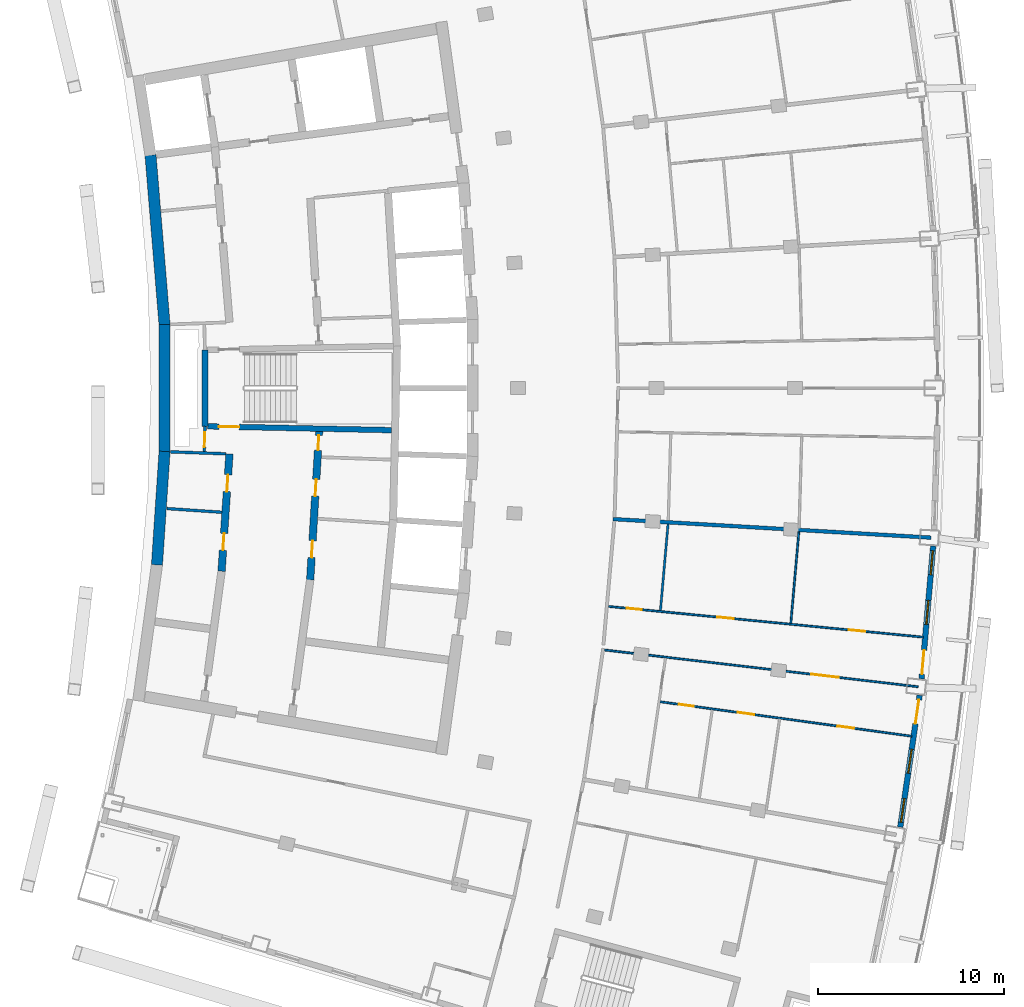
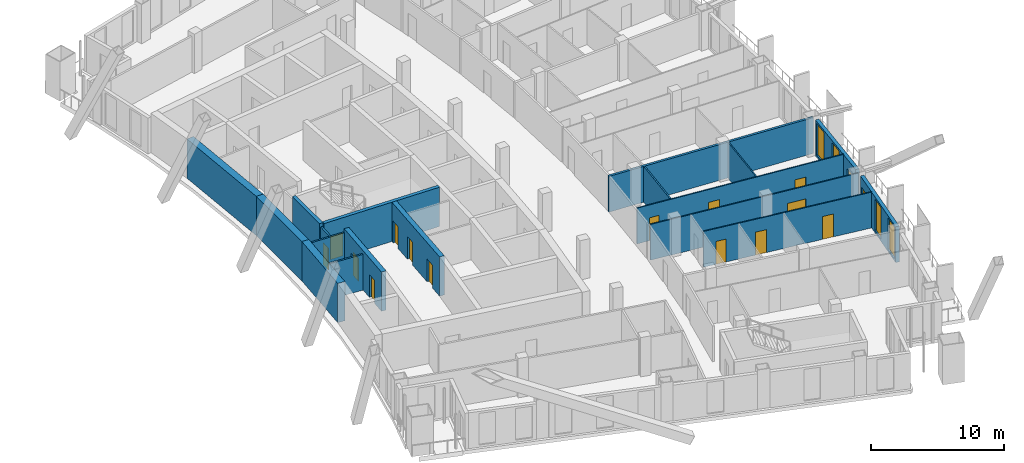
# One storey, part 11 of 19: 18 walls, 16 doors, 4 windows, 20 openings.
"""IFC4 building model written with IfcOpenShell, lengths in metres."""

from ifc_helpers import new_model, si_unit, direction, frame, frame_2d, origin, place, context, subcontext, project, spatial, rectangle, extrude, material, layer, layer_set, type_object, element, fill, save


model = new_model("IFC4")

# Units and contexts
model_context = context("Model", 3, precision=1e-05, world=origin(), true_north=direction((0.0, 1.0)))
body_context = subcontext(model_context, "Body", "Model", "MODEL_VIEW")
ifc_project = project(units=[si_unit("LENGTHUNIT", "METRE"), si_unit("AREAUNIT", "SQUARE_METRE"), si_unit("VOLUMEUNIT", "CUBIC_METRE"), si_unit("PLANEANGLEUNIT", "RADIAN"), si_unit("MASSUNIT", "GRAM", prefix="KILO")], contexts=[model_context])

# Site, building, storey
site_placement = place(None, origin())
site = spatial("IfcSite", under=ifc_project, at=site_placement, CompositionType="ELEMENT")
building_placement = place(site_placement, origin())
building = spatial("IfcBuilding", under=site, at=building_placement, Name="Alderwake Tower", CompositionType="ELEMENT")
storey_placement = place(building_placement, frame((0.0, 0.0, 200.0)))
storey = spatial("IfcBuildingStorey", under=building, at=storey_placement, Name="L49", CompositionType="ELEMENT", Elevation=200.0)

# Wall, opening, door
ifc_material_1 = material(Name="Gypsum shaft wall system, rated")
ifc_layer_1 = layer(ifc_material_1, 0.14990234375)
ifc_layer_set_1 = layer_set([ifc_layer_1], Name="Core room partition 150")
wall_type_1 = type_object("IfcWallType", Name="Core room partition 150", PredefinedType="PARTITIONING", material=ifc_layer_set_1)
wall_1_placement = place(storey_placement, frame((18.918701171875, 58.94384765625, 0.0), z_axis=(0.0, 0.0, 1.0), x_axis=(-0.027811602725, -0.999613182563, 0.0)))
wall_1 = element("IfcWall", 1, at=wall_1_placement, inside=storey, type_object=wall_type_1, Name="CW/L49/PA+24_-37", PredefinedType="PARTITIONING", context=body_context, shape_type="SweptSolid", body=[
    extrude(rectangle(XDim=1.369384765625, YDim=0.14990234375, at=frame_2d((0.6845703125, 0.0))), origin(), (0.0, 0.0, 1.0), 3.280029296875),
])
opening_1_placement = place(wall_1_placement, frame((0.322998046875, 0.0, 0.0)))
opening_1 = element("IfcOpeningElement", 2, at=opening_1_placement, cuts=wall_1, Name="Opening C004", PredefinedType="OPENING", context=body_context, shape_type="SweptSolid", body=[
    extrude(rectangle(XDim=0.800048828125, YDim=2.0, at=frame_2d((0.39990234375, 1.0))), frame((0.0, 0.0849609375, 0.0), z_axis=(0.0, -1.0, 0.0), x_axis=(1.0, 0.0, 0.0)), (0.0, 0.0, 1.0), 0.169921875),
])
ifc_material_2 = material(Name="Painted steel leaf, rated", Category="steel")
door_type_1 = type_object("IfcDoorType", Name="Riser access door 800", OperationType="SINGLE_SWING_LEFT", PredefinedType="DOOR", material=ifc_material_2)
door_1_placement = place(opening_1_placement, origin())
door_1 = element("IfcDoor", 3, at=door_1_placement, inside=storey, type_object=door_type_1, Name="Riser access door", OperationType="SINGLE_SWING_RIGHT", OverallHeight=2.0, OverallWidth=0.800048828125, PredefinedType="DOOR", context=body_context, shape_type="SweptSolid", body=[
    extrude(rectangle(XDim=0.800048828125, YDim=2.0, at=frame_2d((0.39990234375, 1.0))), frame((0.0, 0.02490234375, 0.0), z_axis=(0.0, -1.0, 0.0), x_axis=(1.0, 0.0, 0.0)), (0.0, 0.0, 1.0), 0.050048828125),
])
fill(opening_1, door_1)

# Walls
wall_2_placement = place(storey_placement, frame((16.864501953125, 54.506103515625, 0.0), z_axis=(0.0, 0.0, 1.0), x_axis=(0.997761437145, -0.066873870437, 0.0)))
element("IfcWall", 4, at=wall_2_placement, inside=storey, type_object=wall_type_1, Name="CW/L49/PR-70_+0", PredefinedType="PARTITIONING", context=body_context, shape_type="SweptSolid", body=[
    extrude(rectangle(XDim=2.968017578125, YDim=0.14990234375, at=frame_2d((1.48388671875, 0.0))), origin(), (0.0, 0.0, 1.0), 3.280029296875),
])
wall_3_placement = place(storey_placement, frame((17.0693359375, 57.56396484375, 0.0), z_axis=(0.0, 0.0, 1.0), x_axis=(0.999374945052, -0.03535136775, 0.0)))
element("IfcWall", 5, at=wall_3_placement, inside=storey, type_object=wall_type_1, Name="CW/L49/PR-37_+0", PredefinedType="PARTITIONING", context=body_context, shape_type="SweptSolid", body=[
    extrude(rectangle(XDim=2.9697265625, YDim=0.14990234375, at=frame_2d((1.48486328125, 0.0))), origin(), (0.0, 0.0, 1.0), 3.280029296875),
])
ifc_material_3 = material(Name="Concrete C70/85", Category="concrete")
ifc_layer_2 = layer(ifc_material_3, 0.60009765625)
ifc_layer_set_2 = layer_set([ifc_layer_2], Name="Core wall outer 600 C70-85")
wall_type_2 = type_object("IfcWallType", Name="Core wall outer 600 C70-85", PredefinedType="SHEAR", material=ifc_layer_set_2)
wall_4_placement = place(storey_placement, frame((16.330078125, 51.469970703125, 0.0), z_axis=(0.0, 0.0, 1.0), x_axis=(0.066870582109, 0.997761657536, 0.0)))
element("IfcWall", 6, at=wall_4_placement, inside=storey, type_object=wall_type_2, Name="Core wall CW.036", PredefinedType="SHEAR", context=body_context, shape_type="SweptSolid", body=[
    extrude(rectangle(XDim=6.1298828125, YDim=0.60009765625, at=frame_2d((3.06494140625, 0.0))), origin(), (0.0, 0.0, 1.0), 3.60009765625),
])
wall_5_placement = place(storey_placement, frame((16.739501953125, 57.565185546875, 0.0), z_axis=(0.0, 0.0, 1.0), x_axis=(0.0, 1.0, 0.0)))
element("IfcWall", 7, at=wall_5_placement, inside=storey, type_object=wall_type_2, Name="Core wall CW.038", PredefinedType="SHEAR", context=body_context, shape_type="SweptSolid", body=[
    extrude(rectangle(XDim=6.8720703125, YDim=0.60009765625, at=frame_2d((3.43603515625, 0.0))), origin(), (0.0, 0.0, 1.0), 3.60009765625),
])
wall_6_placement = place(storey_placement, frame((16.740478515625, 64.411376953125, 0.0), z_axis=(0.0, 0.0, 1.0), x_axis=(-0.082614307012, 0.996581595393, 0.0)))
element("IfcWall", 8, at=wall_6_placement, inside=storey, type_object=wall_type_2, Name="Core wall CW.035", PredefinedType="SHEAR", context=body_context, shape_type="SweptSolid", body=[
    extrude(rectangle(XDim=9.184814453125, YDim=0.60009765625, at=frame_2d((4.59228515625, 0.0))), origin(), (0.0, 0.0, 1.0), 3.60009765625),
])

# Wall, openings, doors
ifc_material_4 = material(Name="Concrete C70/85", Category="concrete")
ifc_layer_3 = layer(ifc_material_4, 0.39990234375)
ifc_layer_set_3 = layer_set([ifc_layer_3], Name="Core wall spine 400 C70-85")
wall_type_3 = type_object("IfcWallType", Name="Core wall spine 400 C70-85", PredefinedType="SHEAR", material=ifc_layer_set_3)
wall_7_placement = place(storey_placement, frame((20.2373046875, 57.451904296875, 0.0), z_axis=(0.0, 0.0, 1.0), x_axis=(-0.066884681503, -0.997760712486, 0.0)))
wall_7 = element("IfcWall", 9, at=wall_7_placement, inside=storey, type_object=wall_type_3, Name="Core wall CW.032", PredefinedType="SHEAR", context=body_context, shape_type="SweptSolid", body=[
    extrude(rectangle(XDim=6.336669921875, YDim=0.39990234375, at=frame_2d((3.16845703125, 0.0))), origin(), (0.0, 0.0, 1.0), 3.60009765625),
])
opening_2_placement = place(wall_7_placement, frame((4.297119140625, 0.0, 0.0)))
opening_2 = element("IfcOpeningElement", 10, at=opening_2_placement, cuts=wall_7, Name="Opening C038", PredefinedType="OPENING", context=body_context, shape_type="SweptSolid", body=[
    extrude(rectangle(XDim=0.89990234375, YDim=2.10009765625, at=frame_2d((0.449951171875, 1.050048828125))), frame((0.0, 0.2099609375, 0.0), z_axis=(0.0, -1.0, 0.0), x_axis=(1.0, 0.0, 0.0)), (0.0, 0.0, 1.0), 0.419921875),
])
opening_3_placement = place(wall_7_placement, frame((1.132080078125, 0.0, 0.0)))
opening_3 = element("IfcOpeningElement", 11, at=opening_3_placement, cuts=wall_7, Name="Opening C042", PredefinedType="OPENING", context=body_context, shape_type="SweptSolid", body=[
    extrude(rectangle(XDim=0.89990234375, YDim=2.10009765625, at=frame_2d((0.449951171875, 1.050048828125))), frame((0.0, 0.2099609375, 0.0), z_axis=(0.0, -1.0, 0.0), x_axis=(1.0, 0.0, 0.0)), (0.0, 0.0, 1.0), 0.419921875),
])
ifc_material_5 = material(Name="Painted steel leaf", Category="steel")
door_type_2 = type_object("IfcDoorType", Name="Core room door 900", OperationType="SINGLE_SWING_LEFT", PredefinedType="DOOR", material=ifc_material_5)
door_2_placement = place(opening_2_placement, origin())
door_2 = element("IfcDoor", 12, at=door_2_placement, inside=storey, type_object=door_type_2, Name="Room door", OperationType="SINGLE_SWING_RIGHT", OverallHeight=2.10009765625, OverallWidth=0.89990234375, PredefinedType="DOOR", context=body_context, shape_type="SweptSolid", body=[
    extrude(rectangle(XDim=0.89990234375, YDim=2.10009765625, at=frame_2d((0.449951171875, 1.050048828125))), frame((0.0, 0.02490234375, 0.0), z_axis=(0.0, -1.0, 0.0), x_axis=(1.0, 0.0, 0.0)), (0.0, 0.0, 1.0), 0.050048828125),
])
fill(opening_2, door_2)
door_3_placement = place(opening_3_placement, origin())
door_3 = element("IfcDoor", 13, at=door_3_placement, inside=storey, type_object=door_type_2, Name="Room door", OperationType="SINGLE_SWING_LEFT", OverallHeight=2.10009765625, OverallWidth=0.89990234375, PredefinedType="DOOR", context=body_context, shape_type="SweptSolid", body=[
    extrude(rectangle(XDim=0.89990234375, YDim=2.10009765625, at=frame_2d((0.449951171875, 1.050048828125))), frame((0.0, 0.02490234375, 0.0), z_axis=(0.0, -1.0, 0.0), x_axis=(1.0, 0.0, 0.0)), (0.0, 0.0, 1.0), 0.050048828125),
])
fill(opening_3, door_3)

wall_8_placement = place(storey_placement, frame((24.590087890625, 50.65673828125, 0.0), z_axis=(0.0, 0.0, 1.0), x_axis=(0.060318641452, 0.998179173041, 0.0)))
wall_8 = element("IfcWall", 14, at=wall_8_placement, inside=storey, type_object=wall_type_3, Name="Core wall CW.046", PredefinedType="SHEAR", context=body_context, shape_type="SweptSolid", body=[
    extrude(rectangle(XDim=8.022216796875, YDim=0.39990234375, at=frame_2d((4.01123046875, 0.0))), origin(), (0.0, 0.0, 1.0), 3.60009765625),
])
opening_4_placement = place(wall_8_placement, frame((7.006103515625, 0.0, 0.0)))
opening_4 = element("IfcOpeningElement", 15, at=opening_4_placement, cuts=wall_8, Name="Opening C006", PredefinedType="OPENING", context=body_context, shape_type="SweptSolid", body=[
    extrude(rectangle(XDim=0.800048828125, YDim=2.0, at=frame_2d((0.39990234375, 1.0))), frame((0.0, 0.2099609375, 0.0), z_axis=(0.0, -1.0, 0.0), x_axis=(1.0, 0.0, 0.0)), (0.0, 0.0, 1.0), 0.419921875),
])
opening_5_placement = place(wall_8_placement, frame((1.21533203125, 0.0, 0.0)))
opening_5 = element("IfcOpeningElement", 16, at=opening_5_placement, cuts=wall_8, Name="Opening C044", PredefinedType="OPENING", context=body_context, shape_type="SweptSolid", body=[
    extrude(rectangle(XDim=0.89990234375, YDim=2.10009765625, at=frame_2d((0.449951171875, 1.050048828125))), frame((0.0, 0.2099609375, 0.0), z_axis=(0.0, -1.0, 0.0), x_axis=(1.0, 0.0, 0.0)), (0.0, 0.0, 1.0), 0.419921875),
])
opening_6_placement = place(wall_8_placement, frame((4.531982421875, 0.0, 0.0)))
opening_6 = element("IfcOpeningElement", 17, at=opening_6_placement, cuts=wall_8, Name="Opening C048", PredefinedType="OPENING", context=body_context, shape_type="SweptSolid", body=[
    extrude(rectangle(XDim=0.89990234375, YDim=2.10009765625, at=frame_2d((0.449951171875, 1.050048828125))), frame((0.0, 0.2099609375, 0.0), z_axis=(0.0, -1.0, 0.0), x_axis=(1.0, 0.0, 0.0)), (0.0, 0.0, 1.0), 0.419921875),
])
door_4_placement = place(opening_5_placement, origin())
door_4 = element("IfcDoor", 18, at=door_4_placement, inside=storey, type_object=door_type_2, Name="Room door", OperationType="SINGLE_SWING_RIGHT", OverallHeight=2.10009765625, OverallWidth=0.89990234375, PredefinedType="DOOR", context=body_context, shape_type="SweptSolid", body=[
    extrude(rectangle(XDim=0.89990234375, YDim=2.10009765625, at=frame_2d((0.449951171875, 1.050048828125))), frame((0.0, 0.02490234375, 0.0), z_axis=(0.0, -1.0, 0.0), x_axis=(1.0, 0.0, 0.0)), (0.0, 0.0, 1.0), 0.050048828125),
])
fill(opening_5, door_4)
door_5_placement = place(opening_6_placement, origin())
door_5 = element("IfcDoor", 19, at=door_5_placement, inside=storey, type_object=door_type_2, Name="Room door", OperationType="SINGLE_SWING_LEFT", OverallHeight=2.10009765625, OverallWidth=0.89990234375, PredefinedType="DOOR", context=body_context, shape_type="SweptSolid", body=[
    extrude(rectangle(XDim=0.89990234375, YDim=2.10009765625, at=frame_2d((0.449951171875, 1.050048828125))), frame((0.0, 0.02490234375, 0.0), z_axis=(0.0, -1.0, 0.0), x_axis=(1.0, 0.0, 0.0)), (0.0, 0.0, 1.0), 0.050048828125),
])
fill(opening_6, door_5)
door_6_placement = place(opening_4_placement, origin())
door_6 = element("IfcDoor", 20, at=door_6_placement, inside=storey, type_object=door_type_1, Name="Riser access door", OperationType="SINGLE_SWING_RIGHT", OverallHeight=2.0, OverallWidth=0.800048828125, PredefinedType="DOOR", context=body_context, shape_type="SweptSolid", body=[
    extrude(rectangle(XDim=0.800048828125, YDim=2.0, at=frame_2d((0.39990234375, 1.0))), frame((0.0, 0.02490234375, 0.0), z_axis=(0.0, -1.0, 0.0), x_axis=(1.0, 0.0, 0.0)), (0.0, 0.0, 1.0), 0.050048828125),
])
fill(opening_4, door_6)

# Wall
ifc_material_6 = material(Name="Concrete C70/85", Category="concrete")
ifc_layer_4 = layer(ifc_material_6, 0.300048828125)
ifc_layer_set_4 = layer_set([ifc_layer_4], Name="Core wall stair enclosure 300 C70-85")
wall_type_4 = type_object("IfcWallType", Name="Core wall stair enclosure 300 C70-85", PredefinedType="SHEAR", material=ifc_layer_set_4)
wall_9_placement = place(storey_placement, frame((18.918701171875, 58.940673828125, 0.0), z_axis=(0.0, 0.0, 1.0), x_axis=(0.0, 1.0, 0.0)))
element("IfcWall", 21, at=wall_9_placement, inside=storey, type_object=wall_type_4, Name="Core wall CW.024", PredefinedType="SHEAR", context=body_context, shape_type="SweptSolid", body=[
    extrude(rectangle(XDim=4.11962890625, YDim=0.300048828125, at=frame_2d((2.059814453125, 0.0))), origin(), (0.0, 0.0, 1.0), 3.60009765625),
])

# Wall, opening, door
wall_10_placement = place(storey_placement, frame((28.975830078125, 58.733154296875, 0.0), z_axis=(0.0, 0.0, 1.0), x_axis=(-0.999783782948, 0.020793925895, 0.0)))
wall_10 = element("IfcWall", 22, at=wall_10_placement, inside=storey, type_object=wall_type_4, Name="Core wall CW.074", PredefinedType="SHEAR", context=body_context, shape_type="SweptSolid", body=[
    extrude(rectangle(XDim=9.909423828125, YDim=0.300048828125, at=frame_2d((4.95458984375, 0.0))), origin(), (0.0, 0.0, 1.0), 3.60009765625),
])
opening_7_placement = place(wall_10_placement, frame((8.20947265625, 0.0, 0.0)))
opening_7 = element("IfcOpeningElement", 23, at=opening_7_placement, cuts=wall_10, Name="Opening C063", PredefinedType="OPENING", context=body_context, shape_type="SweptSolid", body=[
    extrude(rectangle(XDim=1.10009765625, YDim=2.10009765625, at=frame_2d((0.550048828125, 1.050048828125))), frame((0.0, 0.159912109375, 0.0), z_axis=(0.0, -1.0, 0.0), x_axis=(1.0, 0.0, 0.0)), (0.0, 0.0, 1.0), 0.320068359375),
])
ifc_material_7 = material(Name="Steel-framed fire door leaf", Category="steel")
door_type_3 = type_object("IfcDoorType", Name="Core stair door 1100 fire-rated", OperationType="SINGLE_SWING_LEFT", PredefinedType="DOOR", material=ifc_material_7)
door_7_placement = place(opening_7_placement, origin())
door_7 = element("IfcDoor", 24, at=door_7_placement, inside=storey, type_object=door_type_3, Name="Stair door", OperationType="SINGLE_SWING_LEFT", OverallHeight=2.10009765625, OverallWidth=1.10009765625, PredefinedType="DOOR", context=body_context, shape_type="SweptSolid", body=[
    extrude(rectangle(XDim=1.10009765625, YDim=2.10009765625, at=frame_2d((0.550048828125, 1.050048828125))), frame((0.0, 0.02490234375, 0.0), z_axis=(0.0, -1.0, 0.0), x_axis=(1.0, 0.0, 0.0)), (0.0, 0.0, 1.0), 0.050048828125),
])
fill(opening_7, door_7)

# Wall, openings, door, windows
ifc_material_8 = material(Name="Precast concrete C50/60 spandrel panel", Category="concrete")
ifc_layer_5 = layer(ifc_material_8, 0.300048828125)
ifc_layer_set_5 = layer_set([ifc_layer_5], Name="External wall EW1 Precast concrete C50/60 spandrel")
wall_type_5 = type_object("IfcWallType", Name="External wall EW1 Precast concrete C50/60 spandrel", PredefinedType="SOLIDWALL", material=ifc_layer_set_5)
wall_11_placement = place(storey_placement, frame((56.400390625, 37.33740234375, 0.0), z_axis=(0.0, 0.0, 1.0), x_axis=(0.145323662677, 0.989384168595, 0.0)))
wall_11 = element("IfcWall", 25, at=wall_11_placement, inside=storey, type_object=wall_type_5, Name="External wall 13", PredefinedType="SOLIDWALL", context=body_context, shape_type="SweptSolid", body=[
    extrude(rectangle(XDim=7.18017578125, YDim=0.300048828125, at=frame_2d((3.590087890625, 0.0))), origin(), (0.0, 0.0, 1.0), 3.280029296875),
])
opening_8_placement = place(wall_11_placement, frame((0.25341796875, 0.0, 0.199951171875)))
opening_8 = element("IfcOpeningElement", 26, at=opening_8_placement, cuts=wall_11, Name="Opening W1", PredefinedType="OPENING", context=body_context, shape_type="SweptSolid", body=[
    extrude(rectangle(XDim=1.300048828125, YDim=2.89990234375, at=frame_2d((0.64990234375, 1.449951171875))), frame((0.0, 0.159912109375, 0.0), z_axis=(0.0, -1.0, 0.0), x_axis=(1.0, 0.0, 0.0)), (0.0, 0.0, 1.0), 0.320068359375),
])
opening_9_placement = place(wall_11_placement, frame((2.940185546875, 0.0, 0.199951171875)))
opening_9 = element("IfcOpeningElement", 27, at=opening_9_placement, cuts=wall_11, Name="Opening W1", PredefinedType="OPENING", context=body_context, shape_type="SweptSolid", body=[
    extrude(rectangle(XDim=1.300048828125, YDim=2.89990234375, at=frame_2d((0.64990234375, 1.449951171875))), frame((0.0, 0.159912109375, 0.0), z_axis=(0.0, -1.0, 0.0), x_axis=(1.0, 0.0, 0.0)), (0.0, 0.0, 1.0), 0.320068359375),
])
opening_10_placement = place(wall_11_placement, frame((5.626953125, 0.0, 0.0)))
opening_10 = element("IfcOpeningElement", 28, at=opening_10_placement, cuts=wall_11, Name="Opening D03", PredefinedType="OPENING", context=body_context, shape_type="SweptSolid", body=[
    extrude(rectangle(XDim=1.300048828125, YDim=2.39990234375, at=frame_2d((0.64990234375, 1.199951171875))), frame((0.0, 0.159912109375, 0.0), z_axis=(0.0, -1.0, 0.0), x_axis=(1.0, 0.0, 0.0)), (0.0, 0.0, 1.0), 0.320068359375),
])
ifc_material_9 = material(Name="Bronze tinted glass in aluminium frame", Category="aluminium")
door_type_4 = type_object("IfcDoorType", Name="Balcony door BD sliding", OperationType="SLIDING_TO_LEFT", PredefinedType="DOOR", material=ifc_material_9)
door_8_placement = place(opening_10_placement, origin())
door_8 = element("IfcDoor", 29, at=door_8_placement, inside=storey, type_object=door_type_4, Name="Door D03", OperationType="SLIDING_TO_LEFT", OverallHeight=2.39990234375, OverallWidth=1.300048828125, PredefinedType="DOOR", context=body_context, shape_type="SweptSolid", body=[
    extrude(rectangle(XDim=1.300048828125, YDim=2.39990234375, at=frame_2d((0.64990234375, 1.199951171875))), frame((0.0, 0.02490234375, 0.0), z_axis=(0.0, -1.0, 0.0), x_axis=(1.0, 0.0, 0.0)), (0.0, 0.0, 1.0), 0.050048828125),
])
fill(opening_10, door_8)
ifc_material_10 = material(Name="Bronze tinted glass in aluminium frame", Category="aluminium")
window_type = type_object("IfcWindowType", Name="Window W1 tall fixed and vent", PartitioningType="DOUBLE_PANEL_VERTICAL", PredefinedType="WINDOW", material=ifc_material_10)
window_1_placement = place(opening_8_placement, origin())
window_1 = element("IfcWindow", 30, at=window_1_placement, inside=storey, type_object=window_type, Name="Window W1 tall fixed and vent", OverallHeight=2.89990234375, OverallWidth=1.300048828125, PartitioningType="DOUBLE_PANEL_VERTICAL", PredefinedType="WINDOW", context=body_context, shape_type="SweptSolid", body=[
    extrude(rectangle(XDim=1.300048828125, YDim=2.89990234375, at=frame_2d((0.64990234375, 1.449951171875))), frame((0.0, 0.030029296875, 0.0), z_axis=(0.0, -1.0, 0.0), x_axis=(1.0, 0.0, 0.0)), (0.0, 0.0, 1.0), 0.06005859375),
])
fill(opening_8, window_1)
window_2_placement = place(opening_9_placement, origin())
window_2 = element("IfcWindow", 31, at=window_2_placement, inside=storey, type_object=window_type, Name="Window W1 tall fixed and vent", OverallHeight=2.89990234375, OverallWidth=1.300048828125, PartitioningType="DOUBLE_PANEL_VERTICAL", PredefinedType="WINDOW", context=body_context, shape_type="SweptSolid", body=[
    extrude(rectangle(XDim=1.300048828125, YDim=2.89990234375, at=frame_2d((0.64990234375, 1.449951171875))), frame((0.0, 0.030029296875, 0.0), z_axis=(0.0, -1.0, 0.0), x_axis=(1.0, 0.0, 0.0)), (0.0, 0.0, 1.0), 0.06005859375),
])
fill(opening_9, window_2)

wall_12_placement = place(storey_placement, frame((57.5478515625, 45.329833984375, 0.0), z_axis=(0.0, 0.0, 1.0), x_axis=(0.087383747715, 0.996174723949, 0.0)))
wall_12 = element("IfcWall", 32, at=wall_12_placement, inside=storey, type_object=wall_type_5, Name="External wall 14", PredefinedType="SOLIDWALL", context=body_context, shape_type="SweptSolid", body=[
    extrude(rectangle(XDim=7.180419921875, YDim=0.300048828125, at=frame_2d((3.59033203125, 0.0))), origin(), (0.0, 0.0, 1.0), 3.280029296875),
])
opening_11_placement = place(wall_12_placement, frame((0.25341796875, 0.0, 0.0)))
opening_11 = element("IfcOpeningElement", 33, at=opening_11_placement, cuts=wall_12, Name="Opening D04", PredefinedType="OPENING", context=body_context, shape_type="SweptSolid", body=[
    extrude(rectangle(XDim=1.300048828125, YDim=2.39990234375, at=frame_2d((0.64990234375, 1.199951171875))), frame((0.0, 0.159912109375, 0.0), z_axis=(0.0, -1.0, 0.0), x_axis=(1.0, 0.0, 0.0)), (0.0, 0.0, 1.0), 0.320068359375),
])
opening_12_placement = place(wall_12_placement, frame((2.940185546875, 0.0, 0.199951171875)))
opening_12 = element("IfcOpeningElement", 34, at=opening_12_placement, cuts=wall_12, Name="Opening W1", PredefinedType="OPENING", context=body_context, shape_type="SweptSolid", body=[
    extrude(rectangle(XDim=1.300048828125, YDim=2.89990234375, at=frame_2d((0.64990234375, 1.449951171875))), frame((0.0, 0.159912109375, 0.0), z_axis=(0.0, -1.0, 0.0), x_axis=(1.0, 0.0, 0.0)), (0.0, 0.0, 1.0), 0.320068359375),
])
opening_13_placement = place(wall_12_placement, frame((5.626953125, 0.0, 0.199951171875)))
opening_13 = element("IfcOpeningElement", 35, at=opening_13_placement, cuts=wall_12, Name="Opening W1", PredefinedType="OPENING", context=body_context, shape_type="SweptSolid", body=[
    extrude(rectangle(XDim=1.300048828125, YDim=2.89990234375, at=frame_2d((0.64990234375, 1.449951171875))), frame((0.0, 0.159912109375, 0.0), z_axis=(0.0, -1.0, 0.0), x_axis=(1.0, 0.0, 0.0)), (0.0, 0.0, 1.0), 0.320068359375),
])
door_9_placement = place(opening_11_placement, origin())
door_9 = element("IfcDoor", 36, at=door_9_placement, inside=storey, type_object=door_type_4, Name="Door D04", OperationType="SLIDING_TO_LEFT", OverallHeight=2.39990234375, OverallWidth=1.300048828125, PredefinedType="DOOR", context=body_context, shape_type="SweptSolid", body=[
    extrude(rectangle(XDim=1.300048828125, YDim=2.39990234375, at=frame_2d((0.64990234375, 1.199951171875))), frame((0.0, 0.02490234375, 0.0), z_axis=(0.0, -1.0, 0.0), x_axis=(1.0, 0.0, 0.0)), (0.0, 0.0, 1.0), 0.050048828125),
])
fill(opening_11, door_9)
window_3_placement = place(opening_12_placement, origin())
window_3 = element("IfcWindow", 37, at=window_3_placement, inside=storey, type_object=window_type, Name="Window W1 tall fixed and vent", OverallHeight=2.89990234375, OverallWidth=1.300048828125, PartitioningType="DOUBLE_PANEL_VERTICAL", PredefinedType="WINDOW", context=body_context, shape_type="SweptSolid", body=[
    extrude(rectangle(XDim=1.300048828125, YDim=2.89990234375, at=frame_2d((0.64990234375, 1.449951171875))), frame((0.0, 0.030029296875, 0.0), z_axis=(0.0, -1.0, 0.0), x_axis=(1.0, 0.0, 0.0)), (0.0, 0.0, 1.0), 0.06005859375),
])
fill(opening_12, window_3)
window_4_placement = place(opening_13_placement, origin())
window_4 = element("IfcWindow", 38, at=window_4_placement, inside=storey, type_object=window_type, Name="Window W1 tall fixed and vent", OverallHeight=2.89990234375, OverallWidth=1.300048828125, PartitioningType="DOUBLE_PANEL_VERTICAL", PredefinedType="WINDOW", context=body_context, shape_type="SweptSolid", body=[
    extrude(rectangle(XDim=1.300048828125, YDim=2.89990234375, at=frame_2d((0.64990234375, 1.449951171875))), frame((0.0, 0.030029296875, 0.0), z_axis=(0.0, -1.0, 0.0), x_axis=(1.0, 0.0, 0.0)), (0.0, 0.0, 1.0), 0.06005859375),
])
fill(opening_13, window_4)

# Wall
ifc_material_11 = material(Name="Dense block masonry wall", Category="masonry")
ifc_layer_6 = layer(ifc_material_11, 0.199951171875)
ifc_layer_set_6 = layer_set([ifc_layer_6], Name="Party wall 200")
wall_type_6 = type_object("IfcWallType", Name="Party wall 200", PredefinedType="SOLIDWALL", material=ifc_layer_set_6)
wall_13_placement = place(storey_placement, frame((58.06494140625, 52.93798828125, 0.0), z_axis=(0.0, 0.0, 1.0), x_axis=(-0.998301852926, 0.058252986578, 0.0)))
element("IfcWall", 39, at=wall_13_placement, inside=storey, type_object=wall_type_6, Name="WL/L49/W04", PredefinedType="SOLIDWALL", context=body_context, shape_type="SweptSolid", body=[
    extrude(rectangle(XDim=17.178955078125, YDim=0.199951171875, at=frame_2d((8.58935546875, 0.0))), origin(), (0.0, 0.0, 1.0), 3.280029296875),
])

# Wall, opening, door
ifc_material_12 = material(Name="Gypsum board on metal studs")
ifc_layer_7 = layer(ifc_material_12, 0.10009765625)
ifc_layer_set_7 = layer_set([ifc_layer_7], Name="Unit partition 100")
wall_type_7 = type_object("IfcWallType", Name="Unit partition 100", PredefinedType="PARTITIONING", material=ifc_layer_set_7)
wall_14_placement = place(storey_placement, frame((40.45654296875, 46.8837890625, 0.0), z_axis=(0.0, 0.0, 1.0), x_axis=(0.993189715166, -0.116508324546, 0.0)))
wall_14 = element("IfcWall", 40, at=wall_14_placement, inside=storey, type_object=wall_type_7, Name="WL/L49/W45", PredefinedType="PARTITIONING", context=body_context, shape_type="SweptSolid", body=[
    extrude(rectangle(XDim=17.01953125, YDim=0.10009765625, at=frame_2d((8.509765625, 0.0))), origin(), (0.0, 0.0, 1.0), 3.280029296875),
])
opening_14_placement = place(wall_14_placement, frame((11.213134765625, 0.0, 0.0)))
opening_14 = element("IfcOpeningElement", 41, at=opening_14_placement, cuts=wall_14, Name="Opening R14-U04.9", PredefinedType="OPENING", context=body_context, shape_type="SweptSolid", body=[
    extrude(rectangle(XDim=1.5, YDim=2.10009765625, at=frame_2d((0.75, 1.050048828125))), frame((0.0, 0.06005859375, 0.0), z_axis=(0.0, -1.0, 0.0), x_axis=(1.0, 0.0, 0.0)), (0.0, 0.0, 1.0), 0.1201171875),
])
ifc_material_13 = material(Name="Painted timber leaves", Category="wood")
door_type_5 = type_object("IfcDoorType", Name="Double leaf door 1500", OperationType="DOUBLE_DOOR_SINGLE_SWING", PredefinedType="DOOR", material=ifc_material_13)
door_10_placement = place(opening_14_placement, origin())
door_10 = element("IfcDoor", 42, at=door_10_placement, inside=storey, type_object=door_type_5, Name="DR/L49/U04.9", OperationType="DOUBLE_DOOR_SINGLE_SWING", OverallHeight=2.10009765625, OverallWidth=1.5, PredefinedType="DOOR", context=body_context, shape_type="SweptSolid", body=[
    extrude(rectangle(XDim=1.5, YDim=2.10009765625, at=frame_2d((0.75, 1.050048828125))), frame((0.0, 0.02490234375, 0.0), z_axis=(0.0, -1.0, 0.0), x_axis=(1.0, 0.0, 0.0)), (0.0, 0.0, 1.0), 0.050048828125),
])
fill(opening_14, door_10)

# Wall, openings, doors
wall_15_placement = place(storey_placement, frame((40.66064453125, 49.231201171875, 0.0), z_axis=(0.0, 0.0, 1.0), x_axis=(0.995273419862, -0.09711240763, 0.0)))
wall_15 = element("IfcWall", 43, at=wall_15_placement, inside=storey, type_object=wall_type_7, Name="WL/L49/W46", PredefinedType="PARTITIONING", context=body_context, shape_type="SweptSolid", body=[
    extrude(rectangle(XDim=17.06494140625, YDim=0.10009765625, at=frame_2d((8.532470703125, 0.0))), origin(), (0.0, 0.0, 1.0), 3.280029296875),
])
opening_15_placement = place(wall_15_placement, frame((5.901123046875, 0.0, 0.0)))
opening_15 = element("IfcOpeningElement", 44, at=opening_15_placement, cuts=wall_15, Name="Opening R14-U04.6", PredefinedType="OPENING", context=body_context, shape_type="SweptSolid", body=[
    extrude(rectangle(XDim=0.89990234375, YDim=2.10009765625, at=frame_2d((0.449951171875, 1.050048828125))), frame((0.0, 0.06005859375, 0.0), z_axis=(0.0, -1.0, 0.0), x_axis=(1.0, 0.0, 0.0)), (0.0, 0.0, 1.0), 0.1201171875),
])
opening_16_placement = place(wall_15_placement, frame((1.010009765625, 0.0, 0.0)))
opening_16 = element("IfcOpeningElement", 45, at=opening_16_placement, cuts=wall_15, Name="Opening R14-U04.7", PredefinedType="OPENING", context=body_context, shape_type="SweptSolid", body=[
    extrude(rectangle(XDim=0.800048828125, YDim=2.10009765625, at=frame_2d((0.39990234375, 1.050048828125))), frame((0.0, 0.06005859375, 0.0), z_axis=(0.0, -1.0, 0.0), x_axis=(1.0, 0.0, 0.0)), (0.0, 0.0, 1.0), 0.1201171875),
])
opening_17_placement = place(wall_15_placement, frame((13.023193359375, 0.0, 0.0)))
opening_17 = element("IfcOpeningElement", 46, at=opening_17_placement, cuts=wall_15, Name="Opening R14-U04.8", PredefinedType="OPENING", context=body_context, shape_type="SweptSolid", body=[
    extrude(rectangle(XDim=0.89990234375, YDim=2.10009765625, at=frame_2d((0.449951171875, 1.050048828125))), frame((0.0, 0.06005859375, 0.0), z_axis=(0.0, -1.0, 0.0), x_axis=(1.0, 0.0, 0.0)), (0.0, 0.0, 1.0), 0.1201171875),
])
ifc_material_14 = material(Name="Painted timber leaf", Category="wood")
door_type_6 = type_object("IfcDoorType", Name="Bathroom door 800", OperationType="SINGLE_SWING_LEFT", PredefinedType="DOOR", material=ifc_material_14)
door_11_placement = place(opening_16_placement, origin())
door_11 = element("IfcDoor", 47, at=door_11_placement, inside=storey, type_object=door_type_6, Name="DR/L49/U04.7", OperationType="SINGLE_SWING_LEFT", OverallHeight=2.10009765625, OverallWidth=0.800048828125, PredefinedType="DOOR", context=body_context, shape_type="SweptSolid", body=[
    extrude(rectangle(XDim=0.800048828125, YDim=2.10009765625, at=frame_2d((0.39990234375, 1.050048828125))), frame((0.0, 0.02490234375, 0.0), z_axis=(0.0, -1.0, 0.0), x_axis=(1.0, 0.0, 0.0)), (0.0, 0.0, 1.0), 0.050048828125),
])
fill(opening_16, door_11)
ifc_material_15 = material(Name="Painted timber leaf", Category="wood")
door_type_7 = type_object("IfcDoorType", Name="Room door 900", OperationType="SINGLE_SWING_LEFT", PredefinedType="DOOR", material=ifc_material_15)
door_12_placement = place(opening_15_placement, origin())
door_12 = element("IfcDoor", 48, at=door_12_placement, inside=storey, type_object=door_type_7, Name="DR/L49/U04.6", OperationType="SINGLE_SWING_LEFT", OverallHeight=2.10009765625, OverallWidth=0.89990234375, PredefinedType="DOOR", context=body_context, shape_type="SweptSolid", body=[
    extrude(rectangle(XDim=0.89990234375, YDim=2.10009765625, at=frame_2d((0.449951171875, 1.050048828125))), frame((0.0, 0.02490234375, 0.0), z_axis=(0.0, -1.0, 0.0), x_axis=(1.0, 0.0, 0.0)), (0.0, 0.0, 1.0), 0.050048828125),
])
fill(opening_15, door_12)
door_13_placement = place(opening_17_placement, origin())
door_13 = element("IfcDoor", 49, at=door_13_placement, inside=storey, type_object=door_type_7, Name="DR/L49/U04.8", OperationType="SINGLE_SWING_LEFT", OverallHeight=2.10009765625, OverallWidth=0.89990234375, PredefinedType="DOOR", context=body_context, shape_type="SweptSolid", body=[
    extrude(rectangle(XDim=0.89990234375, YDim=2.10009765625, at=frame_2d((0.449951171875, 1.050048828125))), frame((0.0, 0.02490234375, 0.0), z_axis=(0.0, -1.0, 0.0), x_axis=(1.0, 0.0, 0.0)), (0.0, 0.0, 1.0), 0.050048828125),
])
fill(opening_17, door_13)

wall_16_placement = place(storey_placement, frame((57.01806640625, 42.23388671875, 0.0), z_axis=(0.0, 0.0, 1.0), x_axis=(-0.990740493083, 0.135769198883, 0.0)))
wall_16 = element("IfcWall", 50, at=wall_16_placement, inside=storey, type_object=wall_type_7, Name="WL/L49/W49", PredefinedType="PARTITIONING", context=body_context, shape_type="SweptSolid", body=[
    extrude(rectangle(XDim=13.684326171875, YDim=0.10009765625, at=frame_2d((6.84228515625, 0.0))), origin(), (0.0, 0.0, 1.0), 3.280029296875),
])
opening_18_placement = place(wall_16_placement, frame((8.563232421875, 0.0, 0.0)))
opening_18 = element("IfcOpeningElement", 51, at=opening_18_placement, cuts=wall_16, Name="Opening R14-U04.1", PredefinedType="OPENING", context=body_context, shape_type="SweptSolid", body=[
    extrude(rectangle(XDim=0.89990234375, YDim=2.10009765625, at=frame_2d((0.449951171875, 1.050048828125))), frame((0.0, 0.06005859375, 0.0), z_axis=(0.0, -1.0, 0.0), x_axis=(1.0, 0.0, 0.0)), (0.0, 0.0, 1.0), 0.1201171875),
])
opening_19_placement = place(wall_16_placement, frame((11.86474609375, 0.0, 0.0)))
opening_19 = element("IfcOpeningElement", 52, at=opening_19_placement, cuts=wall_16, Name="Opening R14-U04.4", PredefinedType="OPENING", context=body_context, shape_type="SweptSolid", body=[
    extrude(rectangle(XDim=0.800048828125, YDim=2.10009765625, at=frame_2d((0.39990234375, 1.050048828125))), frame((0.0, 0.06005859375, 0.0), z_axis=(0.0, -1.0, 0.0), x_axis=(1.0, 0.0, 0.0)), (0.0, 0.0, 1.0), 0.1201171875),
])
opening_20_placement = place(wall_16_placement, frame((3.140869140625, 0.0, 0.0)))
opening_20 = element("IfcOpeningElement", 53, at=opening_20_placement, cuts=wall_16, Name="Opening R14-U04.5", PredefinedType="OPENING", context=body_context, shape_type="SweptSolid", body=[
    extrude(rectangle(XDim=0.89990234375, YDim=2.10009765625, at=frame_2d((0.449951171875, 1.050048828125))), frame((0.0, 0.06005859375, 0.0), z_axis=(0.0, -1.0, 0.0), x_axis=(1.0, 0.0, 0.0)), (0.0, 0.0, 1.0), 0.1201171875),
])
door_14_placement = place(opening_19_placement, origin())
door_14 = element("IfcDoor", 54, at=door_14_placement, inside=storey, type_object=door_type_6, Name="DR/L49/U04.4", OperationType="SINGLE_SWING_LEFT", OverallHeight=2.10009765625, OverallWidth=0.800048828125, PredefinedType="DOOR", context=body_context, shape_type="SweptSolid", body=[
    extrude(rectangle(XDim=0.800048828125, YDim=2.10009765625, at=frame_2d((0.39990234375, 1.050048828125))), frame((0.0, 0.02490234375, 0.0), z_axis=(0.0, -1.0, 0.0), x_axis=(1.0, 0.0, 0.0)), (0.0, 0.0, 1.0), 0.050048828125),
])
fill(opening_19, door_14)
door_15_placement = place(opening_18_placement, origin())
door_15 = element("IfcDoor", 55, at=door_15_placement, inside=storey, type_object=door_type_7, Name="DR/L49/U04.1", OperationType="SINGLE_SWING_LEFT", OverallHeight=2.10009765625, OverallWidth=0.89990234375, PredefinedType="DOOR", context=body_context, shape_type="SweptSolid", body=[
    extrude(rectangle(XDim=0.89990234375, YDim=2.10009765625, at=frame_2d((0.449951171875, 1.050048828125))), frame((0.0, 0.02490234375, 0.0), z_axis=(0.0, -1.0, 0.0), x_axis=(1.0, 0.0, 0.0)), (0.0, 0.0, 1.0), 0.050048828125),
])
fill(opening_18, door_15)
door_16_placement = place(opening_20_placement, origin())
door_16 = element("IfcDoor", 56, at=door_16_placement, inside=storey, type_object=door_type_7, Name="DR/L49/U04.5", OperationType="SINGLE_SWING_LEFT", OverallHeight=2.10009765625, OverallWidth=0.89990234375, PredefinedType="DOOR", context=body_context, shape_type="SweptSolid", body=[
    extrude(rectangle(XDim=0.89990234375, YDim=2.10009765625, at=frame_2d((0.449951171875, 1.050048828125))), frame((0.0, 0.02490234375, 0.0), z_axis=(0.0, -1.0, 0.0), x_axis=(1.0, 0.0, 0.0)), (0.0, 0.0, 1.0), 0.050048828125),
])
fill(opening_20, door_16)

# Walls
wall_17_placement = place(storey_placement, frame((50.50048828125, 48.32275390625, 0.0), z_axis=(0.0, 0.0, 1.0), x_axis=(0.08762167266, 0.996153824708, 0.0)))
element("IfcWall", 57, at=wall_17_placement, inside=storey, type_object=wall_type_7, Name="WL/L49/W54", PredefinedType="PARTITIONING", context=body_context, shape_type="SweptSolid", body=[
    extrude(rectangle(XDim=4.948486328125, YDim=0.10009765625, at=frame_2d((2.47412109375, 0.0))), origin(), (0.0, 0.0, 1.0), 3.280029296875),
])
ifc_material_16 = material(Name="Moisture resistant gypsum board on metal studs")
ifc_layer_8 = layer(ifc_material_16, 0.1201171875)
ifc_layer_set_8 = layer_set([ifc_layer_8], Name="Wet room partition 120")
wall_type_8 = type_object("IfcWallType", Name="Wet room partition 120", PredefinedType="PARTITIONING", material=ifc_layer_set_8)
wall_18_placement = place(storey_placement, frame((43.471435546875, 49.0068359375, 0.0), z_axis=(0.0, 0.0, 1.0), x_axis=(0.087584573872, 0.99615708722, 0.0)))
element("IfcWall", 58, at=wall_18_placement, inside=storey, type_object=wall_type_8, Name="WL/L49/W37", PredefinedType="PARTITIONING", context=body_context, shape_type="SweptSolid", body=[
    extrude(rectangle(XDim=4.677490234375, YDim=0.1201171875, at=frame_2d((2.3388671875, 0.0))), origin(), (0.0, 0.0, 1.0), 3.280029296875),
])

save(model, "model.ifc")
